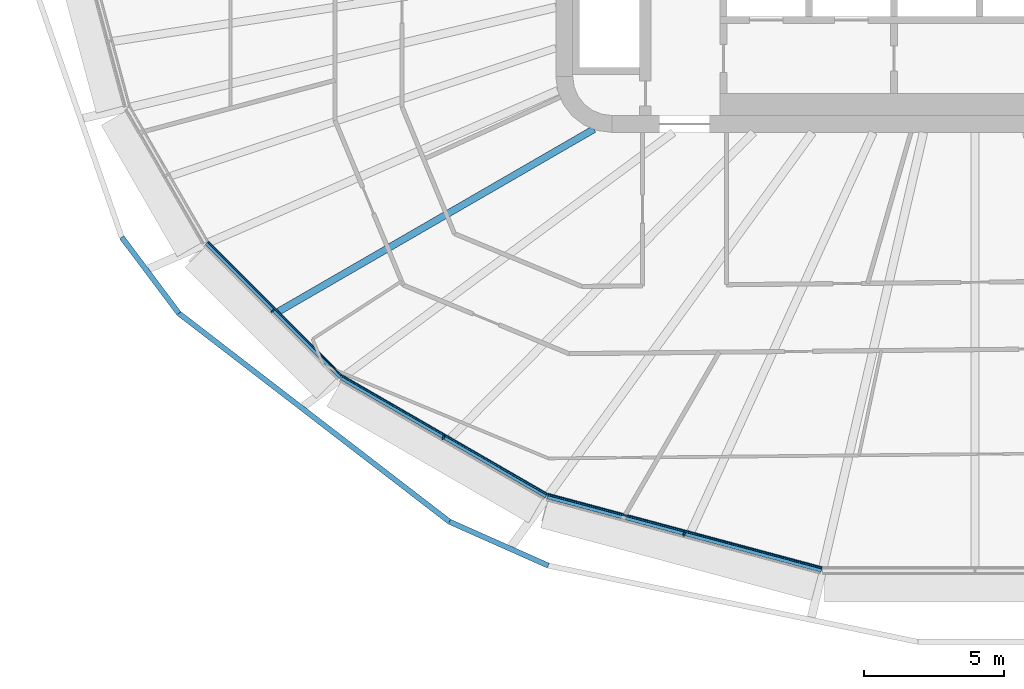
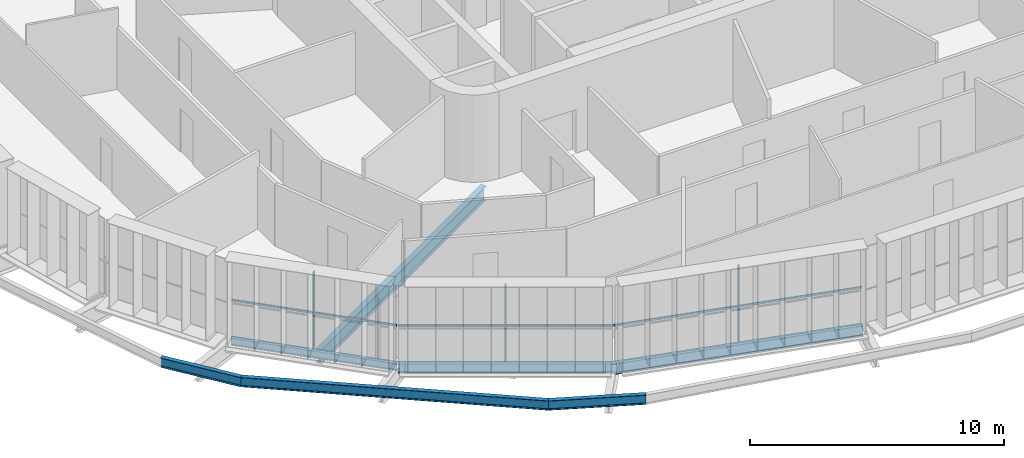
# One storey, part 1 of 26: 7 beams, 6 members, 3 elements without a shape of their own.
"""IFC4 building model written with IfcOpenShell, lengths in metres."""

import ifcopenshell
import ifcopenshell.guid

model = None  # the IFC model being written
_history = None  # IfcOwnerHistory: only IFC2X3 demands one
_inside = {}  # id of a spatial element -> (the spatial element, [elements in it])
_under = {}  # id of a project, library or spatial element -> (it, [spatial elements below it])
_declared = {}  # id of a project -> (the project, [libraries it declares])
_typed = {}  # id of a type object -> (the type object, [elements of that type])
_made_of = {}  # id of a material, layer set ... -> (it, [elements and type objects made of it])


def new_model(schema):
    """Start an empty IFC model of exactly this schema.

    Asked for "IFC4X3", IfcOpenShell would pick the latest addendum, in which some entities
    have other attributes; the version numbers below select the first issue.
    IFC2X3 requires an IfcOwnerHistory on every rooted entity: one is made here for all.
    """
    global model, _history
    if schema == "IFC4X3":
        model = ifcopenshell.file(schema_version=(4, 3, 0, 0))
    else:
        model = ifcopenshell.file(schema=schema)
    _inside.clear()
    _under.clear()
    _declared.clear()
    _typed.clear()
    _made_of.clear()
    _history = None
    if model.schema == "IFC2X3":
        org = make("IfcOrganization", Name="unknown")
        user = make(
            "IfcPersonAndOrganization",
            ThePerson=make("IfcPerson", FamilyName="unknown"),
            TheOrganization=org,
        )
        app = make(
            "IfcApplication",
            ApplicationDeveloper=org,
            Version="unknown",
            ApplicationFullName="unknown",
            ApplicationIdentifier="unknown",
        )
        _history = make(
            "IfcOwnerHistory",
            OwningUser=user,
            OwningApplication=app,
            ChangeAction="ADDED",
            CreationDate=0,
        )
    return model


def make(cls, **values):
    """One entity of the class cls with the attributes given. An attribute that is None is left unset."""
    return model.create_entity(
        cls, **{name: value for name, value in values.items() if value is not None}
    )


def rooted(cls, **values):
    """An entity with a GlobalId (a new one), such as an element, a storey or a relation."""
    return make(cls, GlobalId=ifcopenshell.guid.new(), OwnerHistory=_history, **values)


def si_unit(unit_type, name, prefix=None):
    """IfcSIUnit, for example si_unit("LENGTHUNIT", "METRE", prefix="MILLI")."""
    return make("IfcSIUnit", UnitType=unit_type, Prefix=prefix, Name=name)


def assignment(units):
    """IfcUnitAssignment: the units of a project."""
    return None if units is None else make("IfcUnitAssignment", Units=units)


def point(xyz):
    """IfcCartesianPoint."""
    return None if xyz is None else make("IfcCartesianPoint", Coordinates=xyz)


def direction(xyz):
    """IfcDirection."""
    return None if xyz is None else make("IfcDirection", DirectionRatios=xyz)


def frame(location, z_axis=None, x_axis=None):
    """IfcAxis2Placement3D, a coordinate frame: its origin and axes. An axis left out is left unset."""
    return make(
        "IfcAxis2Placement3D",
        Location=point(location),
        Axis=direction(z_axis),
        RefDirection=direction(x_axis),
    )


def frame_2d(location, x_axis=None):
    """IfcAxis2Placement2D, a coordinate frame in the plane: its origin and x axis."""
    return make(
        "IfcAxis2Placement2D", Location=point(location), RefDirection=direction(x_axis)
    )


def origin():
    """The frame at (0, 0, 0) with its axes left unset."""
    return frame((0.0, 0.0, 0.0))


def origin_2d():
    """The frame at (0, 0) in the plane with its x axis left unset."""
    return frame_2d((0.0, 0.0))


def place(relative_to, where):
    """IfcLocalPlacement: puts the frame where relative to a parent placement (None: the world)."""
    return make(
        "IfcLocalPlacement", PlacementRelTo=relative_to, RelativePlacement=where
    )


def context(
    kind, dimensions, precision=None, world=None, true_north=None, identifier=None
):
    """IfcGeometricRepresentationContext, for example the 3D "Model" context."""
    return make(
        "IfcGeometricRepresentationContext",
        ContextIdentifier=identifier,
        ContextType=kind,
        CoordinateSpaceDimension=dimensions,
        Precision=precision,
        WorldCoordinateSystem=world,
        TrueNorth=true_north,
    )


def subcontext(parent, identifier, kind, view, scale=None):
    """IfcGeometricRepresentationSubContext, for example "Body" below "Model"."""
    return make(
        "IfcGeometricRepresentationSubContext",
        ContextIdentifier=identifier,
        ContextType=kind,
        ParentContext=parent,
        TargetScale=scale,
        TargetView=view,
    )


def project(units=None, contexts=None):
    """IfcProject with its units and contexts."""
    return rooted(
        "IfcProject",
        Name="project",
        RepresentationContexts=contexts,
        UnitsInContext=assignment(units),
    )


def spatial(cls, under=None, at=None, **own):
    """A site, building, storey or space (cls), placed at a placement, below another one or the project."""
    s = rooted(cls, ObjectPlacement=at, **own)
    if under is not None:
        _under.setdefault(under.id(), (under, []))[1].append(s)
    return s


def profile(cls, at=None, kind="AREA", **sizes):
    """A parametric profile (cls). Its sizes go by their IFC names, for example OverallWidth=200.0."""
    return make(cls, ProfileType=kind, Position=at, **sizes)


def rectangle(**sizes):
    """IfcRectangleProfileDef."""
    return profile("IfcRectangleProfileDef", **sizes)


def i_section(**sizes):
    """IfcIShapeProfileDef."""
    return profile("IfcIShapeProfileDef", **sizes)


def extrude(swept, where, along, depth):
    """IfcExtrudedAreaSolid: the profile swept, set in the frame where, extruded along a direction by depth."""
    return make(
        "IfcExtrudedAreaSolid",
        SweptArea=swept,
        Position=where,
        ExtrudedDirection=direction(along),
        Depth=depth,
    )


def shape(context_of_items, identifier, shape_type, items):
    """IfcShapeRepresentation: the items that make up one representation, for example the "Body"."""
    return make(
        "IfcShapeRepresentation",
        ContextOfItems=context_of_items,
        RepresentationIdentifier=identifier,
        RepresentationType=shape_type,
        Items=items,
    )


def material(Name=None, Category=None):
    """IfcMaterial."""
    return make("IfcMaterial", Name=Name, Category=Category)


def layer(
    of_material, thickness, ventilated=None, Name=None, Category=None, Priority=None
):
    """IfcMaterialLayer: one layer of a wall or slab, of a material (None: an air gap)."""
    return make(
        "IfcMaterialLayer",
        Material=of_material,
        LayerThickness=thickness,
        IsVentilated=ventilated,
        Name=Name,
        Category=Category,
        Priority=Priority,
    )


def layer_set(layers, Name=None):
    """IfcMaterialLayerSet."""
    return make("IfcMaterialLayerSet", MaterialLayers=layers, LayerSetName=Name)


def material_profile(
    of_material, cross_section, Name=None, Category=None, Priority=None
):
    """IfcMaterialProfile: a cross section and its material."""
    return make(
        "IfcMaterialProfile",
        Name=Name,
        Material=of_material,
        Profile=cross_section,
        Priority=Priority,
        Category=Category,
    )


def profile_set(profiles, Name=None, composite=None):
    """IfcMaterialProfileSet."""
    return make(
        "IfcMaterialProfileSet",
        Name=Name,
        MaterialProfiles=profiles,
        CompositeProfile=composite,
    )


def made_of(thing, what):
    """Note that an element or type object is made of a material, layer set ...; save() writes the relation."""
    if what is not None:
        _made_of.setdefault(what.id(), (what, []))[1].append(thing)
    return thing


def type_object(cls, material=None, **own):
    """A type object (cls), such as IfcWallType, which elements share."""
    return made_of(rooted(cls, **own), material)


def element(
    cls,
    number,
    at=None,
    inside=None,
    cuts=None,
    type_object=None,
    material=None,
    context=None,
    identifier="Body",
    shape_type=None,
    held_by="IfcProductDefinitionShape",
    body=None,
    shapes=None,
    **own,
):
    """One element of the class cls, such as IfcWall. Its Tag is "e" and its number.

    at: its placement. inside: the storey or other place that contains it. cuts: it is an
    opening in that element (IfcRelVoidsElement). A single representation is given by context,
    identifier, shape_type and body (its items); several are given by shapes. held_by: the class
    of the entity that holds the representations. save() writes the other relations.
    """
    e = rooted(cls, Tag="e%d" % number, ObjectPlacement=at, **own)
    if body is not None:
        shapes = [shape(context, identifier, shape_type, body)]
    if shapes is not None:
        e.Representation = make(held_by, Representations=shapes)
    if inside is not None:
        _inside.setdefault(inside.id(), (inside, []))[1].append(e)
    if cuts is not None:
        rooted(
            "IfcRelVoidsElement", RelatingBuildingElement=cuts, RelatedOpeningElement=e
        )
    if type_object is not None:
        _typed.setdefault(type_object.id(), (type_object, []))[1].append(e)
    return made_of(e, material)


def aggregate(whole, parts):
    """IfcRelAggregates: a whole, such as a stair, and the parts it consists of."""
    return rooted("IfcRelAggregates", RelatingObject=whole, RelatedObjects=parts)


def save(model, path):
    """Write the relations noted so far, then the file.

    IfcRelAggregates (storeys below a building ...), IfcRelContainedInSpatialStructure (elements
    in a storey), IfcRelDefinesByType, IfcRelAssociatesMaterial and IfcRelDeclares: one each for
    every whole, place, type object, material and project.
    """
    for whole, parts in _under.values():
        aggregate(whole, parts)
    for where, things in _inside.values():
        rooted(
            "IfcRelContainedInSpatialStructure",
            RelatedElements=things,
            RelatingStructure=where,
        )
    for kind, things in _typed.values():
        rooted("IfcRelDefinesByType", RelatedObjects=things, RelatingType=kind)
    for what, things in _made_of.values():
        rooted("IfcRelAssociatesMaterial", RelatedObjects=things, RelatingMaterial=what)
    for by, libraries in _declared.values():
        rooted("IfcRelDeclares", RelatingContext=by, RelatedDefinitions=libraries)
    model.write(path)


model = new_model("IFC4")

# Units and contexts
model_context = context("Model", 3, precision=1e-05, world=origin(), true_north=direction((0.0, 1.0)))
body_context = subcontext(model_context, "Body", "Model", "MODEL_VIEW")
ifc_project = project(units=[si_unit("LENGTHUNIT", "METRE"), si_unit("AREAUNIT", "SQUARE_METRE"), si_unit("VOLUMEUNIT", "CUBIC_METRE"), si_unit("PLANEANGLEUNIT", "RADIAN"), si_unit("MASSUNIT", "GRAM", prefix="KILO")], contexts=[model_context])

# Site, building, storey
site_placement = place(None, origin())
site = spatial("IfcSite", under=ifc_project, at=site_placement, CompositionType="ELEMENT")
building_placement = place(site_placement, origin())
building = spatial("IfcBuilding", under=site, at=building_placement, Name="Sahrelin Media Tower", CompositionType="ELEMENT")
storey_placement = place(building_placement, frame((0.0, 0.0, 84.0)))
storey = spatial("IfcBuildingStorey", under=building, at=storey_placement, Name="L15", CompositionType="ELEMENT", Elevation=84.0)

# Beams
ifc_material_1 = material(Name="Steel S355", Category="steel")
ifc_material_profile_1 = material_profile(ifc_material_1, i_section(OverallWidth=0.17138671875, OverallDepth=0.35498046875, WebThickness=0.00732421875, FlangeThickness=0.011474609375, FilletRadius=0.01025390625, at=origin_2d()), Name="UB 356x171x51")
ifc_profile_set_1 = profile_set([ifc_material_profile_1], Name="Steel S355")
beam_type_1 = type_object("IfcBeamType", Name="Edge beam EB3", PredefinedType="BEAM", material=ifc_profile_set_1)
beam_1_placement = place(storey_placement, frame((-22.689697265625, -16.739013671875, -0.327392578125), z_axis=(-0.707106781187, 0.707106781187, 0.0), x_axis=(-0.707106781187, -0.707106781187, 0.0)))
element("IfcBeam", 1, at=beam_1_placement, inside=storey, type_object=beam_type_1, Name="Edge beam L15-10", PredefinedType="BEAM", context=body_context, shape_type="SweptSolid", body=[
    extrude(i_section(OverallWidth=0.17138671875, OverallDepth=0.35498046875, WebThickness=0.00732421875, FlangeThickness=0.011474609375, FilletRadius=0.01025390625, at=origin_2d()), origin(), (0.0, 0.0, 1.0), 6.7783203125),
])
ifc_material_profile_2 = material_profile(ifc_material_1, i_section(OverallWidth=0.1904296875, OverallDepth=0.45703125, WebThickness=0.009033203125, FlangeThickness=0.014404296875, FilletRadius=0.01025390625, at=origin_2d()), Name="UB 457x191x74")
ifc_profile_set_2 = profile_set([ifc_material_profile_2], Name="Steel S355")
beam_type_2 = type_object("IfcBeamType", Name="Edge beam EB5", PredefinedType="BEAM", material=ifc_profile_set_2)
beam_2_placement = place(storey_placement, frame((-15.3330078125, -20.99072265625, -0.37841796875), z_axis=(-0.866025712585, 0.499999465141, 0.0), x_axis=(-0.499999465141, -0.866025712585, 0.0)))
element("IfcBeam", 2, at=beam_2_placement, inside=storey, type_object=beam_type_2, Name="Edge beam L15-09", PredefinedType="BEAM", context=body_context, shape_type="SweptSolid", body=[
    extrude(i_section(OverallWidth=0.1904296875, OverallDepth=0.45703125, WebThickness=0.009033203125, FlangeThickness=0.014404296875, FilletRadius=0.01025390625, at=origin_2d()), origin(), (0.0, 0.0, 1.0), 8.46826171875),
])
ifc_material_profile_3 = material_profile(ifc_material_1, i_section(OverallWidth=0.208740234375, OverallDepth=0.5283203125, WebThickness=0.009521484375, FlangeThickness=0.01318359375, FilletRadius=0.0126953125, at=origin_2d()), Name="UB 533x210x82")
ifc_profile_set_3 = profile_set([ifc_material_profile_3], Name="Steel S355")
beam_type_3 = type_object("IfcBeamType", Name="Edge beam EB6", PredefinedType="BEAM", material=ifc_profile_set_3)
beam_3_placement = place(storey_placement, frame((-5.48828125, -23.632568359375, -0.414306640625), z_axis=(-0.965923284876, 0.258828529599, 0.0), x_axis=(-0.258828529599, -0.965923284876, 0.0)))
element("IfcBeam", 3, at=beam_3_placement, inside=storey, type_object=beam_type_3, Name="Edge beam L15-08", PredefinedType="BEAM", context=body_context, shape_type="SweptSolid", body=[
    extrude(i_section(OverallWidth=0.208740234375, OverallDepth=0.5283203125, WebThickness=0.009521484375, FlangeThickness=0.01318359375, FilletRadius=0.0126953125, at=origin_2d()), origin(), (0.0, 0.0, 1.0), 10.16455078125),
])

# Curtain wall, member
ifc_material_2 = material(Name="Champagne anodised aluminium 6063-T6", Category="aluminium")
ifc_layer = layer(ifc_material_2, 0.14990234375)
ifc_layer_set = layer_set([ifc_layer], Name="Tower ribbon curtain wall")
curtain_wall_type = type_object("IfcCurtainWallType", Name="Tower ribbon curtain wall", PredefinedType="NOTDEFINED", material=ifc_layer_set)
curtain_wall_1_placement = place(storey_placement, frame((-25.192138671875, -14.448486328125, 0.0), z_axis=(0.0, 0.0, 1.0), x_axis=(1.0, 0.0, 0.0)))
curtain_wall_1 = element("IfcCurtainWall", 4, at=curtain_wall_1_placement, inside=storey, type_object=curtain_wall_type, Name="L15:CW:L15-15", PredefinedType="NOTDEFINED")
ifc_material_profile_4 = material_profile(ifc_material_2, rectangle(XDim=0.06005859375, YDim=0.14990234375, at=origin_2d()), Name="Mullion 60x150")
ifc_profile_set_4 = profile_set([ifc_material_profile_4], Name="Champagne anodised aluminium 6063-T6")
member_type_1 = type_object("IfcMemberType", Name="Mullion 60x150 CW1", PredefinedType="MULLION", material=ifc_profile_set_4)
member_1_placement = place(storey_placement, frame((-25.125, -14.381591796875, 0.0), z_axis=(0.0, 0.0, 1.0), x_axis=(0.707114185953, -0.707099376343, 0.0)))
member_1 = element("IfcMember", 5, at=member_1_placement, type_object=member_type_1, Name="L15:CWM:L15-15", PredefinedType="MULLION", context=body_context, shape_type="SweptSolid", body=[
    extrude(rectangle(XDim=0.06005859375, YDim=0.14990234375, at=origin_2d()), origin(), (0.0, 0.0, 1.0), 3.648681640625),
])

curtain_wall_2_placement = place(storey_placement, frame((-19.074951171875, -19.003662109375, 0.0), z_axis=(0.0, 0.0, 1.0), x_axis=(1.0, 0.0, 0.0)))
curtain_wall_2 = element("IfcCurtainWall", 6, at=curtain_wall_2_placement, inside=storey, type_object=curtain_wall_type, Name="L15:CW:L15-16", PredefinedType="NOTDEFINED")
member_2_placement = place(storey_placement, frame((-19.02734375, -18.92138671875, 0.0), z_axis=(0.0, 0.0, 1.0), x_axis=(0.866022785779, -0.500004534492, 0.0)))
member_2 = element("IfcMember", 7, at=member_2_placement, type_object=member_type_1, Name="L15:CWM:L15-16", PredefinedType="MULLION", context=body_context, shape_type="SweptSolid", body=[
    extrude(rectangle(XDim=0.06005859375, YDim=0.14990234375, at=origin_2d()), origin(), (0.0, 0.0, 1.0), 3.648681640625),
])

curtain_wall_3_placement = place(storey_placement, frame((-10.436279296875, -22.462158203125, 0.0), z_axis=(0.0, 0.0, 1.0), x_axis=(1.0, 0.0, 0.0)))
curtain_wall_3 = element("IfcCurtainWall", 8, at=curtain_wall_3_placement, inside=storey, type_object=curtain_wall_type, Name="L15:CW:L15-17", PredefinedType="NOTDEFINED")
member_3_placement = place(storey_placement, frame((-10.41162109375, -22.370361328125, 0.0), z_axis=(0.0, 0.0, 1.0), x_axis=(0.965926278012, -0.258817359244, 0.0)))
member_3 = element("IfcMember", 9, at=member_3_placement, type_object=member_type_1, Name="L15:CWM:L15-17", PredefinedType="MULLION", context=body_context, shape_type="SweptSolid", body=[
    extrude(rectangle(XDim=0.06005859375, YDim=0.14990234375, at=origin_2d()), origin(), (0.0, 0.0, 1.0), 3.648681640625),
])

# Beams
ifc_material_profile_5 = material_profile(ifc_material_1, i_section(OverallWidth=0.2529296875, OverallDepth=0.677978515625, WebThickness=0.01171875, FlangeThickness=0.01611328125, FilletRadius=0.01513671875, at=origin_2d()), Name="UB 686x254x125")
ifc_profile_set_5 = profile_set([ifc_material_profile_5], Name="Steel S355")
beam_type_4 = type_object("IfcBeamType", Name="Radial secondary beam SB8", PredefinedType="BEAM", material=ifc_profile_set_5)
beam_4_placement = place(storey_placement, frame((-13.63525390625, -7.88330078125, -0.489013671875), z_axis=(-0.865726960109, -0.500516563703, 0.0), x_axis=(0.500516563703, -0.865726960109, 0.0)))
element("IfcBeam", 10, at=beam_4_placement, inside=storey, type_object=beam_type_4, Name="Secondary beam L15-15", PredefinedType="BEAM", context=body_context, shape_type="SweptSolid", body=[
    extrude(i_section(OverallWidth=0.2529296875, OverallDepth=0.677978515625, WebThickness=0.01171875, FlangeThickness=0.01611328125, FilletRadius=0.01513671875, at=origin_2d()), origin(), (0.0, 0.0, 1.0), 13.020263671875),
])
ifc_material_profile_6 = material_profile(ifc_material_1, i_section(OverallWidth=0.1904296875, OverallDepth=0.45703125, WebThickness=0.009033203125, FlangeThickness=0.014404296875, FilletRadius=0.01025390625, at=origin_2d()), Name="UB 457x191x74")
ifc_profile_set_6 = profile_set([ifc_material_profile_6], Name="Steel S355")
beam_type_5 = type_object("IfcBeamType", Name="Tie chord TC5", PredefinedType="BEAM", material=ifc_profile_set_6)
beam_5_placement = place(storey_placement, frame((-30.529296875, -11.753662109375, -0.37841796875), z_axis=(0.600080429002, -0.799939671931, 0.0), x_axis=(0.799939671931, 0.600080429002, 0.0)))
element("IfcBeam", 11, at=beam_5_placement, inside=storey, type_object=beam_type_5, Name="Tie chord L15-14", PredefinedType="BEAM", context=body_context, shape_type="SweptSolid", body=[
    extrude(i_section(OverallWidth=0.1904296875, OverallDepth=0.45703125, WebThickness=0.009033203125, FlangeThickness=0.014404296875, FilletRadius=0.01025390625, at=origin_2d()), origin(), (0.0, 0.0, 1.0), 3.399658203125),
])
beam_6_placement = place(storey_placement, frame((-28.4892578125, -14.47314453125, -0.37841796875), z_axis=(0.792442022212, -0.609947244795, 0.0), x_axis=(0.609947244795, 0.792442022212, 0.0)))
element("IfcBeam", 12, at=beam_6_placement, inside=storey, type_object=beam_type_5, Name="Tie chord L15-15", PredefinedType="BEAM", context=body_context, shape_type="SweptSolid", body=[
    extrude(i_section(OverallWidth=0.1904296875, OverallDepth=0.45703125, WebThickness=0.009033203125, FlangeThickness=0.014404296875, FilletRadius=0.01025390625, at=origin_2d()), origin(), (0.0, 0.0, 1.0), 12.22216796875),
])
beam_7_placement = place(storey_placement, frame((-18.803955078125, -21.927978515625, -0.37841796875), z_axis=(0.913821963128, -0.406115032601, 0.0), x_axis=(0.406115032601, 0.913821963128, 0.0)))
element("IfcBeam", 13, at=beam_7_placement, inside=storey, type_object=beam_type_5, Name="Tie chord L15-16", PredefinedType="BEAM", context=body_context, shape_type="SweptSolid", body=[
    extrude(i_section(OverallWidth=0.1904296875, OverallDepth=0.45703125, WebThickness=0.009033203125, FlangeThickness=0.014404296875, FilletRadius=0.01025390625, at=origin_2d()), origin(), (0.0, 0.0, 1.0), 3.86669921875),
])

# Member
ifc_material_profile_7 = material_profile(ifc_material_2, rectangle(XDim=0.050048828125, YDim=0.10009765625, at=origin_2d()), Name="Transom 50x100")
ifc_profile_set_7 = profile_set([ifc_material_profile_7], Name="Champagne anodised aluminium 6063-T6")
member_type_2 = type_object("IfcMemberType", Name="Transom 50x100 CW1", PredefinedType="USERDEFINED", material=ifc_profile_set_7)
member_4_placement = place(storey_placement, frame((-27.439697265625, -11.92529296875, 1.60009765625), z_axis=(0.707088688516, -0.707124873394, 0.0), x_axis=(0.707124873394, 0.707088688516, 0.0)))
member_4 = element("IfcMember", 14, at=member_4_placement, type_object=member_type_2, Name="L15:CWT:L15-15", ObjectType="TRANSOM", PredefinedType="USERDEFINED", context=body_context, shape_type="SweptSolid", body=[
    extrude(rectangle(XDim=0.050048828125, YDim=0.10009765625, at=origin_2d()), origin(), (0.0, 0.0, 1.0), 6.7470703125),
])

aggregate(curtain_wall_1, [member_1, member_4])

member_5_placement = place(storey_placement, frame((-22.630615234375, -16.7255859375, 1.60009765625), z_axis=(0.866029933621, -0.499992154011, 0.0), x_axis=(0.499992154011, 0.866029933621, 0.0)))
member_5 = element("IfcMember", 15, at=member_5_placement, type_object=member_type_2, Name="L15:CWT:L15-16", ObjectType="TRANSOM", PredefinedType="USERDEFINED", context=body_context, shape_type="SweptSolid", body=[
    extrude(rectangle(XDim=0.050048828125, YDim=0.10009765625, at=origin_2d()), origin(), (0.0, 0.0, 1.0), 8.436767578125),
])

aggregate(curtain_wall_2, [member_2, member_5])

member_6_placement = place(storey_placement, frame((-15.279541015625, -20.96240234375, 1.60009765625), z_axis=(0.965927940896, -0.258811153154, 0.0), x_axis=(0.258811153154, 0.965927940896, 0.0)))
member_6 = element("IfcMember", 16, at=member_6_placement, type_object=member_type_2, Name="L15:CWT:L15-17", ObjectType="TRANSOM", PredefinedType="USERDEFINED", context=body_context, shape_type="SweptSolid", body=[
    extrude(rectangle(XDim=0.050048828125, YDim=0.10009765625, at=origin_2d()), origin(), (0.0, 0.0, 1.0), 10.133056640625),
])

aggregate(curtain_wall_3, [member_3, member_6])

save(model, "model.ifc")
